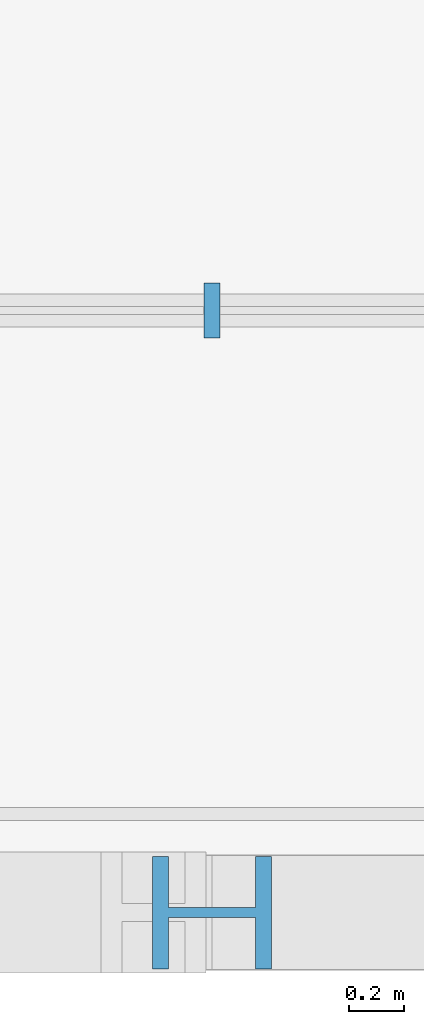
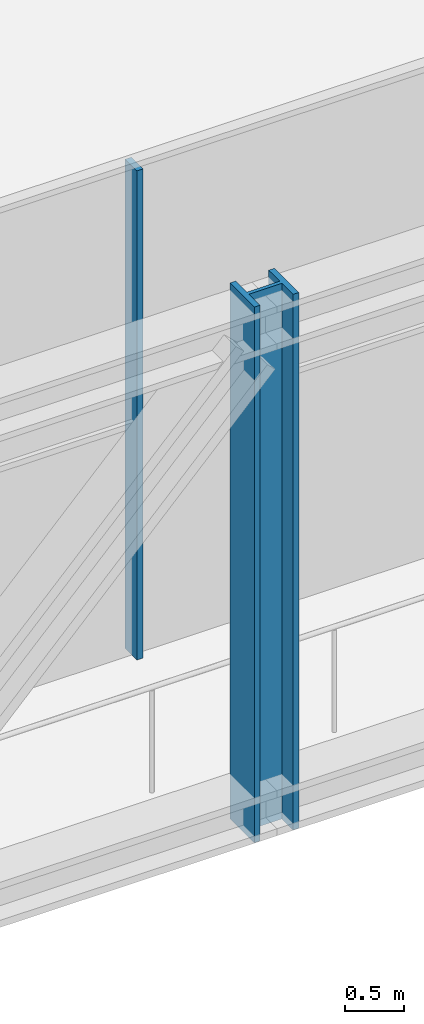
# One storey, part 6 of 30: 2 members, 1 element without a shape of its own.
"""IFC4 building model written with IfcOpenShell, lengths in metres."""

import ifcopenshell
import ifcopenshell.guid

model = None  # the IFC model being written
_history = None  # IfcOwnerHistory: only IFC2X3 demands one
_inside = {}  # id of a spatial element -> (the spatial element, [elements in it])
_under = {}  # id of a project, library or spatial element -> (it, [spatial elements below it])
_declared = {}  # id of a project -> (the project, [libraries it declares])
_typed = {}  # id of a type object -> (the type object, [elements of that type])
_made_of = {}  # id of a material, layer set ... -> (it, [elements and type objects made of it])


def new_model(schema):
    """Start an empty IFC model of exactly this schema.

    Asked for "IFC4X3", IfcOpenShell would pick the latest addendum, in which some entities
    have other attributes; the version numbers below select the first issue.
    IFC2X3 requires an IfcOwnerHistory on every rooted entity: one is made here for all.
    """
    global model, _history
    if schema == "IFC4X3":
        model = ifcopenshell.file(schema_version=(4, 3, 0, 0))
    else:
        model = ifcopenshell.file(schema=schema)
    _inside.clear()
    _under.clear()
    _declared.clear()
    _typed.clear()
    _made_of.clear()
    _history = None
    if model.schema == "IFC2X3":
        org = make("IfcOrganization", Name="unknown")
        user = make(
            "IfcPersonAndOrganization",
            ThePerson=make("IfcPerson", FamilyName="unknown"),
            TheOrganization=org,
        )
        app = make(
            "IfcApplication",
            ApplicationDeveloper=org,
            Version="unknown",
            ApplicationFullName="unknown",
            ApplicationIdentifier="unknown",
        )
        _history = make(
            "IfcOwnerHistory",
            OwningUser=user,
            OwningApplication=app,
            ChangeAction="ADDED",
            CreationDate=0,
        )
    return model


def make(cls, **values):
    """One entity of the class cls with the attributes given. An attribute that is None is left unset."""
    return model.create_entity(
        cls, **{name: value for name, value in values.items() if value is not None}
    )


def rooted(cls, **values):
    """An entity with a GlobalId (a new one), such as an element, a storey or a relation."""
    return make(cls, GlobalId=ifcopenshell.guid.new(), OwnerHistory=_history, **values)


def si_unit(unit_type, name, prefix=None):
    """IfcSIUnit, for example si_unit("LENGTHUNIT", "METRE", prefix="MILLI")."""
    return make("IfcSIUnit", UnitType=unit_type, Prefix=prefix, Name=name)


def assignment(units):
    """IfcUnitAssignment: the units of a project."""
    return None if units is None else make("IfcUnitAssignment", Units=units)


def point(xyz):
    """IfcCartesianPoint."""
    return None if xyz is None else make("IfcCartesianPoint", Coordinates=xyz)


def direction(xyz):
    """IfcDirection."""
    return None if xyz is None else make("IfcDirection", DirectionRatios=xyz)


def frame(location, z_axis=None, x_axis=None):
    """IfcAxis2Placement3D, a coordinate frame: its origin and axes. An axis left out is left unset."""
    return make(
        "IfcAxis2Placement3D",
        Location=point(location),
        Axis=direction(z_axis),
        RefDirection=direction(x_axis),
    )


def frame_2d(location, x_axis=None):
    """IfcAxis2Placement2D, a coordinate frame in the plane: its origin and x axis."""
    return make(
        "IfcAxis2Placement2D", Location=point(location), RefDirection=direction(x_axis)
    )


def origin():
    """The frame at (0, 0, 0) with its axes left unset."""
    return frame((0.0, 0.0, 0.0))


def origin_2d():
    """The frame at (0, 0) in the plane with its x axis left unset."""
    return frame_2d((0.0, 0.0))


def place(relative_to, where):
    """IfcLocalPlacement: puts the frame where relative to a parent placement (None: the world)."""
    return make(
        "IfcLocalPlacement", PlacementRelTo=relative_to, RelativePlacement=where
    )


def context(
    kind, dimensions, precision=None, world=None, true_north=None, identifier=None
):
    """IfcGeometricRepresentationContext, for example the 3D "Model" context."""
    return make(
        "IfcGeometricRepresentationContext",
        ContextIdentifier=identifier,
        ContextType=kind,
        CoordinateSpaceDimension=dimensions,
        Precision=precision,
        WorldCoordinateSystem=world,
        TrueNorth=true_north,
    )


def subcontext(parent, identifier, kind, view, scale=None):
    """IfcGeometricRepresentationSubContext, for example "Body" below "Model"."""
    return make(
        "IfcGeometricRepresentationSubContext",
        ContextIdentifier=identifier,
        ContextType=kind,
        ParentContext=parent,
        TargetScale=scale,
        TargetView=view,
    )


def project(units=None, contexts=None):
    """IfcProject with its units and contexts."""
    return rooted(
        "IfcProject",
        Name="project",
        RepresentationContexts=contexts,
        UnitsInContext=assignment(units),
    )


def spatial(cls, under=None, at=None, **own):
    """A site, building, storey or space (cls), placed at a placement, below another one or the project."""
    s = rooted(cls, ObjectPlacement=at, **own)
    if under is not None:
        _under.setdefault(under.id(), (under, []))[1].append(s)
    return s


def profile(cls, at=None, kind="AREA", **sizes):
    """A parametric profile (cls). Its sizes go by their IFC names, for example OverallWidth=200.0."""
    return make(cls, ProfileType=kind, Position=at, **sizes)


def rectangle(**sizes):
    """IfcRectangleProfileDef."""
    return profile("IfcRectangleProfileDef", **sizes)


def i_section(**sizes):
    """IfcIShapeProfileDef."""
    return profile("IfcIShapeProfileDef", **sizes)


def extrude(swept, where, along, depth):
    """IfcExtrudedAreaSolid: the profile swept, set in the frame where, extruded along a direction by depth."""
    return make(
        "IfcExtrudedAreaSolid",
        SweptArea=swept,
        Position=where,
        ExtrudedDirection=direction(along),
        Depth=depth,
    )


def shape(context_of_items, identifier, shape_type, items):
    """IfcShapeRepresentation: the items that make up one representation, for example the "Body"."""
    return make(
        "IfcShapeRepresentation",
        ContextOfItems=context_of_items,
        RepresentationIdentifier=identifier,
        RepresentationType=shape_type,
        Items=items,
    )


def material(Name=None, Category=None):
    """IfcMaterial."""
    return make("IfcMaterial", Name=Name, Category=Category)


def layer(
    of_material, thickness, ventilated=None, Name=None, Category=None, Priority=None
):
    """IfcMaterialLayer: one layer of a wall or slab, of a material (None: an air gap)."""
    return make(
        "IfcMaterialLayer",
        Material=of_material,
        LayerThickness=thickness,
        IsVentilated=ventilated,
        Name=Name,
        Category=Category,
        Priority=Priority,
    )


def layer_set(layers, Name=None):
    """IfcMaterialLayerSet."""
    return make("IfcMaterialLayerSet", MaterialLayers=layers, LayerSetName=Name)


def material_profile(
    of_material, cross_section, Name=None, Category=None, Priority=None
):
    """IfcMaterialProfile: a cross section and its material."""
    return make(
        "IfcMaterialProfile",
        Name=Name,
        Material=of_material,
        Profile=cross_section,
        Priority=Priority,
        Category=Category,
    )


def profile_set(profiles, Name=None, composite=None):
    """IfcMaterialProfileSet."""
    return make(
        "IfcMaterialProfileSet",
        Name=Name,
        MaterialProfiles=profiles,
        CompositeProfile=composite,
    )


def made_of(thing, what):
    """Note that an element or type object is made of a material, layer set ...; save() writes the relation."""
    if what is not None:
        _made_of.setdefault(what.id(), (what, []))[1].append(thing)
    return thing


def type_object(cls, material=None, **own):
    """A type object (cls), such as IfcWallType, which elements share."""
    return made_of(rooted(cls, **own), material)


def element(
    cls,
    number,
    at=None,
    inside=None,
    cuts=None,
    type_object=None,
    material=None,
    context=None,
    identifier="Body",
    shape_type=None,
    held_by="IfcProductDefinitionShape",
    body=None,
    shapes=None,
    **own,
):
    """One element of the class cls, such as IfcWall. Its Tag is "e" and its number.

    at: its placement. inside: the storey or other place that contains it. cuts: it is an
    opening in that element (IfcRelVoidsElement). A single representation is given by context,
    identifier, shape_type and body (its items); several are given by shapes. held_by: the class
    of the entity that holds the representations. save() writes the other relations.
    """
    e = rooted(cls, Tag="e%d" % number, ObjectPlacement=at, **own)
    if body is not None:
        shapes = [shape(context, identifier, shape_type, body)]
    if shapes is not None:
        e.Representation = make(held_by, Representations=shapes)
    if inside is not None:
        _inside.setdefault(inside.id(), (inside, []))[1].append(e)
    if cuts is not None:
        rooted(
            "IfcRelVoidsElement", RelatingBuildingElement=cuts, RelatedOpeningElement=e
        )
    if type_object is not None:
        _typed.setdefault(type_object.id(), (type_object, []))[1].append(e)
    return made_of(e, material)


def aggregate(whole, parts):
    """IfcRelAggregates: a whole, such as a stair, and the parts it consists of."""
    return rooted("IfcRelAggregates", RelatingObject=whole, RelatedObjects=parts)


def save(model, path):
    """Write the relations noted so far, then the file.

    IfcRelAggregates (storeys below a building ...), IfcRelContainedInSpatialStructure (elements
    in a storey), IfcRelDefinesByType, IfcRelAssociatesMaterial and IfcRelDeclares: one each for
    every whole, place, type object, material and project.
    """
    for whole, parts in _under.values():
        aggregate(whole, parts)
    for where, things in _inside.values():
        rooted(
            "IfcRelContainedInSpatialStructure",
            RelatedElements=things,
            RelatingStructure=where,
        )
    for kind, things in _typed.values():
        rooted("IfcRelDefinesByType", RelatedObjects=things, RelatingType=kind)
    for what, things in _made_of.values():
        rooted("IfcRelAssociatesMaterial", RelatedObjects=things, RelatingMaterial=what)
    for by, libraries in _declared.values():
        rooted("IfcRelDeclares", RelatingContext=by, RelatedDefinitions=libraries)
    model.write(path)


model = new_model("IFC4")

# Units and contexts
model_context = context("Model", 3, precision=1e-05, world=origin(), true_north=direction((0.0, 1.0)))
body_context = subcontext(model_context, "Body", "Model", "MODEL_VIEW")
ifc_project = project(units=[si_unit("LENGTHUNIT", "METRE"), si_unit("AREAUNIT", "SQUARE_METRE"), si_unit("VOLUMEUNIT", "CUBIC_METRE"), si_unit("PLANEANGLEUNIT", "RADIAN"), si_unit("MASSUNIT", "GRAM", prefix="KILO")], contexts=[model_context])

# Site, building, storey
site_placement = place(None, origin())
site = spatial("IfcSite", under=ifc_project, at=site_placement, CompositionType="ELEMENT")
building_placement = place(site_placement, origin())
building = spatial("IfcBuilding", under=site, at=building_placement, Name="Madar Terraces", CompositionType="ELEMENT")
storey_placement = place(building_placement, frame((0.0, 0.0, 173.5)))
storey = spatial("IfcBuildingStorey", under=building, at=storey_placement, Name="L45", CompositionType="ELEMENT", Elevation=173.5)

# Curtain wall, member
ifc_material_1 = material(Name="Glass, ceramic frit dark grey, with black aluminium frame", Category="aluminium")
ifc_layer = layer(ifc_material_1, 0.199951171875)
ifc_layer_set = layer_set([ifc_layer], Name="Facade curtain wall, tall glazing")
curtain_wall_type = type_object("IfcCurtainWallType", Name="Facade curtain wall, tall glazing", PredefinedType="NOTDEFINED", material=ifc_layer_set)
curtain_wall_placement = place(storey_placement, origin())
curtain_wall = element("IfcCurtainWall", 1, at=curtain_wall_placement, inside=storey, type_object=curtain_wall_type, Name="Outer skin curtain wall south bay 1", PredefinedType="NOTDEFINED")
ifc_material_2 = material(Name="Aluminium, black anodised", Category="aluminium")
ifc_material_profile_1 = material_profile(ifc_material_2, rectangle(XDim=0.199951171875, YDim=0.06005859375, at=origin_2d()), Name="Facade mullion 60x200")
ifc_profile_set_1 = profile_set([ifc_material_profile_1], Name="Aluminium, black anodised")
member_type_1 = type_object("IfcMemberType", Name="Facade mullion 60x200", PredefinedType="MULLION", material=ifc_profile_set_1)
member_1_placement = place(storey_placement, frame((33.60009765625, 2.199951171875, 0.0), z_axis=(0.0, 0.0, 1.0), x_axis=(0.0, 1.0, 0.0)))
member_1 = element("IfcMember", 2, at=member_1_placement, type_object=member_type_1, Name="Mullion 5", PredefinedType="MULLION", context=body_context, shape_type="SweptSolid", body=[
    extrude(rectangle(XDim=0.199951171875, YDim=0.06005859375, at=origin_2d()), origin(), (0.0, 0.0, 1.0), 5.0400390625),
])
aggregate(curtain_wall, [member_1])

# Member
ifc_material_3 = material(Name="Steel ASTM A913 Grade 65", Category="steel")
ifc_material_profile_2 = material_profile(ifc_material_3, i_section(OverallWidth=0.411376953125, OverallDepth=0.434326171875, WebThickness=0.035888671875, FlangeThickness=0.057373046875, at=origin_2d()), Name="W14x311")
ifc_profile_set_2 = profile_set([ifc_material_profile_2], Name="Steel ASTM A913 Grade 65")
member_type_2 = type_object("IfcMemberType", Name="TV6 W14x311", PredefinedType="POST", material=ifc_profile_set_2)
member_2_placement = place(storey_placement, frame((33.60009765625, 0.0, -0.419921875), z_axis=(0.0, 0.0, 1.0), x_axis=(0.0, 1.0, 0.0)))
element("IfcMember", 3, at=member_2_placement, inside=storey, type_object=member_type_2, Name="Exoskeleton truss ring post TV6", PredefinedType="POST", context=body_context, shape_type="SweptSolid", body=[
    extrude(i_section(OverallWidth=0.411376953125, OverallDepth=0.434326171875, WebThickness=0.035888671875, FlangeThickness=0.057373046875, at=origin_2d()), origin(), (0.0, 0.0, 1.0), 5.52001953125),
])

save(model, "model.ifc")
